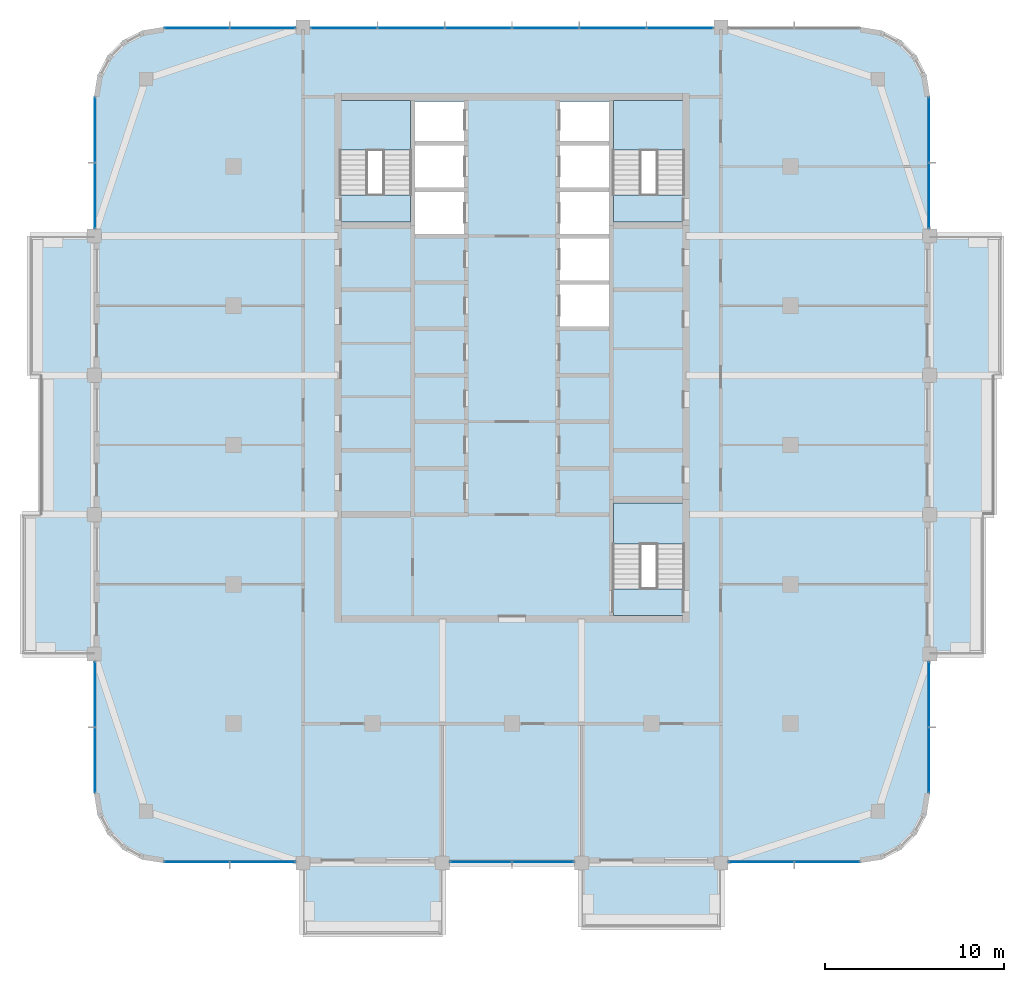
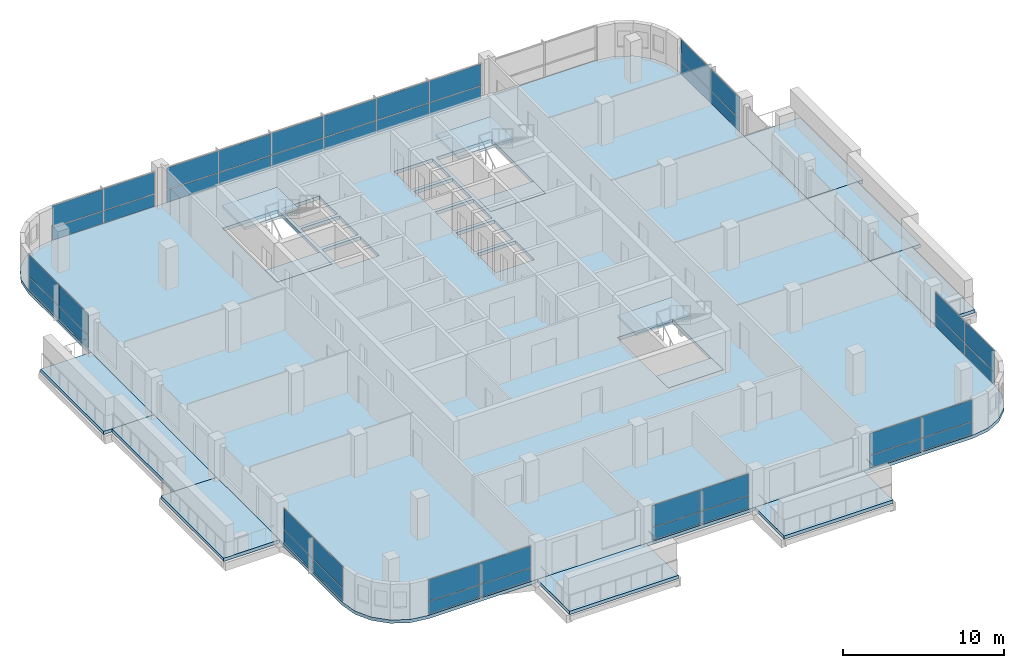
# One storey, part 11 of 22: 44 plates, 15 slabs, 12 elements without a shape of their own.
"""IFC4 building model written with IfcOpenShell, lengths in metres."""

from ifc_helpers import new_model, si_unit, direction, frame, origin, origin_2d, place, context, subcontext, project, spatial, polyline, rectangle, outline, extrude, material, layer, layer_set, type_object, element, aggregate, save


model = new_model("IFC4")

# Units and contexts
model_context = context("Model", 3, precision=1e-05, world=origin(), true_north=direction((0.0, 1.0)))
body_context = subcontext(model_context, "Body", "Model", "MODEL_VIEW")
ifc_project = project(units=[si_unit("LENGTHUNIT", "METRE"), si_unit("AREAUNIT", "SQUARE_METRE"), si_unit("VOLUMEUNIT", "CUBIC_METRE"), si_unit("PLANEANGLEUNIT", "RADIAN"), si_unit("MASSUNIT", "GRAM", prefix="KILO")], contexts=[model_context])

# Site, building, storey
site_placement = place(None, origin())
site = spatial("IfcSite", under=ifc_project, at=site_placement, CompositionType="ELEMENT")
building_placement = place(site_placement, origin())
building = spatial("IfcBuilding", under=site, at=building_placement, Name="Ludao Terraces", CompositionType="ELEMENT")
storey_placement = place(building_placement, frame((0.0, 0.0, 200.699951171875)))
storey = spatial("IfcBuildingStorey", under=building, at=storey_placement, Name="L54", CompositionType="ELEMENT", Elevation=200.699951171875)

# Slabs
ifc_material_1 = material(Name="Concrete C40", Category="concrete")
ifc_layer_1 = layer(ifc_material_1, 0.25)
ifc_layer_set_1 = layer_set([ifc_layer_1], Name="Balcony slab 250 C40")
slab_type_1 = type_object("IfcSlabType", Name="Balcony slab 250 C40", PredefinedType="USERDEFINED", material=ifc_layer_set_1)
slab_1_placement = place(storey_placement, frame((0.0, 0.0, -0.25)))
element("IfcSlab", 1, at=slab_1_placement, inside=storey, type_object=slab_type_1, Name="Balcony L54 S1", ObjectType="BALCONY", PredefinedType="USERDEFINED", context=body_context, shape_type="SweptSolid", body=[
    extrude(outline(polyline([(73.300048828125, 37.60009765625), (81.10009765625, 37.60009765625), (81.10009765625, 41.60009765625), (73.300048828125, 41.60009765625), (73.300048828125, 37.60009765625)])), origin(), (0.0, 0.0, 1.0), 0.25),
])
slab_2_placement = place(storey_placement, frame((0.0, 0.0, -0.25)))
element("IfcSlab", 2, at=slab_2_placement, inside=storey, type_object=slab_type_1, Name="Balcony L54 S3", ObjectType="BALCONY", PredefinedType="USERDEFINED", context=body_context, shape_type="SweptSolid", body=[
    extrude(outline(polyline([(88.89990234375, 38.0), (96.699951171875, 38.0), (96.699951171875, 41.60009765625), (88.89990234375, 41.60009765625), (88.89990234375, 38.0)])), origin(), (0.0, 0.0, 1.0), 0.25),
])
slab_3_placement = place(storey_placement, frame((0.0, 0.0, -0.25)))
element("IfcSlab", 3, at=slab_3_placement, inside=storey, type_object=slab_type_1, Name="Balcony L54 E1", ObjectType="BALCONY", PredefinedType="USERDEFINED", context=body_context, shape_type="SweptSolid", body=[
    extrude(outline(polyline([(108.39990234375, 53.300048828125), (111.39990234375, 53.300048828125), (111.39990234375, 61.10009765625), (108.39990234375, 61.10009765625), (108.39990234375, 53.300048828125)])), origin(), (0.0, 0.0, 1.0), 0.25),
])
slab_4_placement = place(storey_placement, frame((0.0, 0.0, -0.25)))
element("IfcSlab", 4, at=slab_4_placement, inside=storey, type_object=slab_type_1, Name="Balcony L54 E2", ObjectType="BALCONY", PredefinedType="USERDEFINED", context=body_context, shape_type="SweptSolid", body=[
    extrude(outline(polyline([(108.39990234375, 61.10009765625), (112.0, 61.10009765625), (112.0, 68.89990234375), (108.39990234375, 68.89990234375), (108.39990234375, 61.10009765625)])), origin(), (0.0, 0.0, 1.0), 0.25),
])
slab_5_placement = place(storey_placement, frame((0.0, 0.0, -0.25)))
element("IfcSlab", 5, at=slab_5_placement, inside=storey, type_object=slab_type_1, Name="Balcony L54 E3", ObjectType="BALCONY", PredefinedType="USERDEFINED", context=body_context, shape_type="SweptSolid", body=[
    extrude(outline(polyline([(108.39990234375, 68.89990234375), (112.39990234375, 68.89990234375), (112.39990234375, 76.699951171875), (108.39990234375, 76.699951171875), (108.39990234375, 68.89990234375)])), origin(), (0.0, 0.0, 1.0), 0.25),
])
slab_6_placement = place(storey_placement, frame((0.0, 0.0, -0.25)))
element("IfcSlab", 6, at=slab_6_placement, inside=storey, type_object=slab_type_1, Name="Balcony L54 W1", ObjectType="BALCONY", PredefinedType="USERDEFINED", context=body_context, shape_type="SweptSolid", body=[
    extrude(outline(polyline([(57.60009765625, 53.300048828125), (61.60009765625, 53.300048828125), (61.60009765625, 61.10009765625), (57.60009765625, 61.10009765625), (57.60009765625, 53.300048828125)])), origin(), (0.0, 0.0, 1.0), 0.25),
])
slab_7_placement = place(storey_placement, frame((0.0, 0.0, -0.25)))
element("IfcSlab", 7, at=slab_7_placement, inside=storey, type_object=slab_type_1, Name="Balcony L54 W2", ObjectType="BALCONY", PredefinedType="USERDEFINED", context=body_context, shape_type="SweptSolid", body=[
    extrude(outline(polyline([(58.60009765625, 61.10009765625), (61.60009765625, 61.10009765625), (61.60009765625, 68.89990234375), (58.60009765625, 68.89990234375), (58.60009765625, 61.10009765625)])), origin(), (0.0, 0.0, 1.0), 0.25),
])
slab_8_placement = place(storey_placement, frame((0.0, 0.0, -0.25)))
element("IfcSlab", 8, at=slab_8_placement, inside=storey, type_object=slab_type_1, Name="Balcony L54 W3", ObjectType="BALCONY", PredefinedType="USERDEFINED", context=body_context, shape_type="SweptSolid", body=[
    extrude(outline(polyline([(58.0, 68.89990234375), (61.60009765625, 68.89990234375), (61.60009765625, 76.699951171875), (58.0, 76.699951171875), (58.0, 68.89990234375)])), origin(), (0.0, 0.0, 1.0), 0.25),
])

# Curtain wall, plates
ifc_material_2 = material(Name="Aluminium curtain wall with fritted glass", Category="aluminium")
curtain_wall_type = type_object("IfcCurtainWallType", Name="ENV CW3 community glazing", PredefinedType="NOTDEFINED", material=ifc_material_2)
curtain_wall_1_placement = place(storey_placement, origin())
curtain_wall_1 = element("IfcCurtainWall", 9, at=curtain_wall_1_placement, inside=storey, type_object=curtain_wall_type, Name="Community floor glazing L54 S1", PredefinedType="NOTDEFINED")
ifc_material_3 = material(Name="Fritted glass panel", Category="glass")
ifc_layer_2 = layer(ifc_material_3, 0.02392578125)
ifc_layer_set_2 = layer_set([ifc_layer_2], Name="ENV CW3 glass panel")
plate_type = type_object("IfcPlateType", Name="ENV CW3 glass panel", PredefinedType="CURTAIN_PANEL", material=ifc_layer_set_2)
plate_1_placement = place(storey_placement, frame((67.362548828125, 41.659912109375, 0.0498046875), z_axis=(0.0, 0.0, 1.0), x_axis=(1.0, 0.0, 0.0)))
plate_1 = element("IfcPlate", 10, at=plate_1_placement, type_object=plate_type, Name="CW3 panel 1.1", PredefinedType="CURTAIN_PANEL", context=body_context, shape_type="SweptSolid", body=[
    extrude(rectangle(XDim=3.625, YDim=0.02392578125, at=origin_2d()), origin(), (0.0, 0.0, 1.0), 0.925048828125),
])
plate_2_placement = place(storey_placement, frame((67.362548828125, 41.659912109375, 1.025146484375), z_axis=(0.0, 0.0, 1.0), x_axis=(1.0, 0.0, 0.0)))
plate_2 = element("IfcPlate", 11, at=plate_2_placement, type_object=plate_type, Name="CW3 panel 1.2", PredefinedType="CURTAIN_PANEL", context=body_context, shape_type="SweptSolid", body=[
    extrude(rectangle(XDim=3.625, YDim=0.02392578125, at=origin_2d()), origin(), (0.0, 0.0, 1.0), 1.625),
])
plate_3_placement = place(storey_placement, frame((71.03759765625, 41.659912109375, 0.0498046875), z_axis=(0.0, 0.0, 1.0), x_axis=(1.0, 0.0, 0.0)))
plate_3 = element("IfcPlate", 12, at=plate_3_placement, type_object=plate_type, Name="CW3 panel 2.1", PredefinedType="CURTAIN_PANEL", context=body_context, shape_type="SweptSolid", body=[
    extrude(rectangle(XDim=3.625, YDim=0.02392578125, at=origin_2d()), origin(), (0.0, 0.0, 1.0), 0.925048828125),
])
plate_4_placement = place(storey_placement, frame((71.03759765625, 41.659912109375, 1.025146484375), z_axis=(0.0, 0.0, 1.0), x_axis=(1.0, 0.0, 0.0)))
plate_4 = element("IfcPlate", 13, at=plate_4_placement, type_object=plate_type, Name="CW3 panel 2.2", PredefinedType="CURTAIN_PANEL", context=body_context, shape_type="SweptSolid", body=[
    extrude(rectangle(XDim=3.625, YDim=0.02392578125, at=origin_2d()), origin(), (0.0, 0.0, 1.0), 1.625),
])
aggregate(curtain_wall_1, [plate_1, plate_2, plate_3, plate_4])

curtain_wall_2_placement = place(storey_placement, origin())
curtain_wall_2 = element("IfcCurtainWall", 14, at=curtain_wall_2_placement, inside=storey, type_object=curtain_wall_type, Name="Community floor glazing L54 S3", PredefinedType="NOTDEFINED")
plate_5_placement = place(storey_placement, frame((83.262451171875, 41.659912109375, 0.0498046875), z_axis=(0.0, 0.0, 1.0), x_axis=(1.0, 0.0, 0.0)))
plate_5 = element("IfcPlate", 15, at=plate_5_placement, type_object=plate_type, Name="CW3 panel 1.1", PredefinedType="CURTAIN_PANEL", context=body_context, shape_type="SweptSolid", body=[
    extrude(rectangle(XDim=3.425048828125, YDim=0.02392578125, at=origin_2d()), origin(), (0.0, 0.0, 1.0), 0.925048828125),
])
plate_6_placement = place(storey_placement, frame((83.262451171875, 41.659912109375, 1.025146484375), z_axis=(0.0, 0.0, 1.0), x_axis=(1.0, 0.0, 0.0)))
plate_6 = element("IfcPlate", 16, at=plate_6_placement, type_object=plate_type, Name="CW3 panel 1.2", PredefinedType="CURTAIN_PANEL", context=body_context, shape_type="SweptSolid", body=[
    extrude(rectangle(XDim=3.425048828125, YDim=0.02392578125, at=origin_2d()), origin(), (0.0, 0.0, 1.0), 1.625),
])
plate_7_placement = place(storey_placement, frame((86.737548828125, 41.659912109375, 0.0498046875), z_axis=(0.0, 0.0, 1.0), x_axis=(1.0, 0.0, 0.0)))
plate_7 = element("IfcPlate", 17, at=plate_7_placement, type_object=plate_type, Name="CW3 panel 2.1", PredefinedType="CURTAIN_PANEL", context=body_context, shape_type="SweptSolid", body=[
    extrude(rectangle(XDim=3.425048828125, YDim=0.02392578125, at=origin_2d()), origin(), (0.0, 0.0, 1.0), 0.925048828125),
])
plate_8_placement = place(storey_placement, frame((86.737548828125, 41.659912109375, 1.025146484375), z_axis=(0.0, 0.0, 1.0), x_axis=(1.0, 0.0, 0.0)))
plate_8 = element("IfcPlate", 18, at=plate_8_placement, type_object=plate_type, Name="CW3 panel 2.2", PredefinedType="CURTAIN_PANEL", context=body_context, shape_type="SweptSolid", body=[
    extrude(rectangle(XDim=3.425048828125, YDim=0.02392578125, at=origin_2d()), origin(), (0.0, 0.0, 1.0), 1.625),
])
aggregate(curtain_wall_2, [plate_5, plate_6, plate_7, plate_8])

curtain_wall_3_placement = place(storey_placement, origin())
curtain_wall_3 = element("IfcCurtainWall", 19, at=curtain_wall_3_placement, inside=storey, type_object=curtain_wall_type, Name="Community floor glazing L54 S5", PredefinedType="NOTDEFINED")
plate_9_placement = place(storey_placement, frame((98.96240234375, 41.659912109375, 0.0498046875), z_axis=(0.0, 0.0, 1.0), x_axis=(1.0, 0.0, 0.0)))
plate_9 = element("IfcPlate", 20, at=plate_9_placement, type_object=plate_type, Name="CW3 panel 1.1", PredefinedType="CURTAIN_PANEL", context=body_context, shape_type="SweptSolid", body=[
    extrude(rectangle(XDim=3.625, YDim=0.02392578125, at=origin_2d()), origin(), (0.0, 0.0, 1.0), 0.925048828125),
])
plate_10_placement = place(storey_placement, frame((98.96240234375, 41.659912109375, 1.025146484375), z_axis=(0.0, 0.0, 1.0), x_axis=(1.0, 0.0, 0.0)))
plate_10 = element("IfcPlate", 21, at=plate_10_placement, type_object=plate_type, Name="CW3 panel 1.2", PredefinedType="CURTAIN_PANEL", context=body_context, shape_type="SweptSolid", body=[
    extrude(rectangle(XDim=3.625, YDim=0.02392578125, at=origin_2d()), origin(), (0.0, 0.0, 1.0), 1.625),
])
plate_11_placement = place(storey_placement, frame((102.637451171875, 41.659912109375, 0.0498046875), z_axis=(0.0, 0.0, 1.0), x_axis=(1.0, 0.0, 0.0)))
plate_11 = element("IfcPlate", 22, at=plate_11_placement, type_object=plate_type, Name="CW3 panel 2.1", PredefinedType="CURTAIN_PANEL", context=body_context, shape_type="SweptSolid", body=[
    extrude(rectangle(XDim=3.625, YDim=0.02392578125, at=origin_2d()), origin(), (0.0, 0.0, 1.0), 0.925048828125),
])
plate_12_placement = place(storey_placement, frame((102.637451171875, 41.659912109375, 1.025146484375), z_axis=(0.0, 0.0, 1.0), x_axis=(1.0, 0.0, 0.0)))
plate_12 = element("IfcPlate", 23, at=plate_12_placement, type_object=plate_type, Name="CW3 panel 2.2", PredefinedType="CURTAIN_PANEL", context=body_context, shape_type="SweptSolid", body=[
    extrude(rectangle(XDim=3.625, YDim=0.02392578125, at=origin_2d()), origin(), (0.0, 0.0, 1.0), 1.625),
])
aggregate(curtain_wall_3, [plate_9, plate_10, plate_11, plate_12])

curtain_wall_4_placement = place(storey_placement, origin())
curtain_wall_4 = element("IfcCurtainWall", 24, at=curtain_wall_4_placement, inside=storey, type_object=curtain_wall_type, Name="Community floor glazing L54 E1", PredefinedType="NOTDEFINED")
plate_13_placement = place(storey_placement, frame((108.340087890625, 47.362548828125, 0.0498046875), z_axis=(0.0, 0.0, 1.0), x_axis=(0.0, 1.0, 0.0)))
plate_13 = element("IfcPlate", 25, at=plate_13_placement, type_object=plate_type, Name="CW3 panel 1.1", PredefinedType="CURTAIN_PANEL", context=body_context, shape_type="SweptSolid", body=[
    extrude(rectangle(XDim=3.625, YDim=0.02392578125, at=origin_2d()), origin(), (0.0, 0.0, 1.0), 0.925048828125),
])
plate_14_placement = place(storey_placement, frame((108.340087890625, 47.362548828125, 1.025146484375), z_axis=(0.0, 0.0, 1.0), x_axis=(0.0, 1.0, 0.0)))
plate_14 = element("IfcPlate", 26, at=plate_14_placement, type_object=plate_type, Name="CW3 panel 1.2", PredefinedType="CURTAIN_PANEL", context=body_context, shape_type="SweptSolid", body=[
    extrude(rectangle(XDim=3.625, YDim=0.02392578125, at=origin_2d()), origin(), (0.0, 0.0, 1.0), 1.625),
])
plate_15_placement = place(storey_placement, frame((108.340087890625, 51.03759765625, 0.0498046875), z_axis=(0.0, 0.0, 1.0), x_axis=(0.0, 1.0, 0.0)))
plate_15 = element("IfcPlate", 27, at=plate_15_placement, type_object=plate_type, Name="CW3 panel 2.1", PredefinedType="CURTAIN_PANEL", context=body_context, shape_type="SweptSolid", body=[
    extrude(rectangle(XDim=3.625, YDim=0.02392578125, at=origin_2d()), origin(), (0.0, 0.0, 1.0), 0.925048828125),
])
plate_16_placement = place(storey_placement, frame((108.340087890625, 51.03759765625, 1.025146484375), z_axis=(0.0, 0.0, 1.0), x_axis=(0.0, 1.0, 0.0)))
plate_16 = element("IfcPlate", 28, at=plate_16_placement, type_object=plate_type, Name="CW3 panel 2.2", PredefinedType="CURTAIN_PANEL", context=body_context, shape_type="SweptSolid", body=[
    extrude(rectangle(XDim=3.625, YDim=0.02392578125, at=origin_2d()), origin(), (0.0, 0.0, 1.0), 1.625),
])
aggregate(curtain_wall_4, [plate_13, plate_14, plate_15, plate_16])

curtain_wall_5_placement = place(storey_placement, origin())
curtain_wall_5 = element("IfcCurtainWall", 29, at=curtain_wall_5_placement, inside=storey, type_object=curtain_wall_type, Name="Community floor glazing L54 E5", PredefinedType="NOTDEFINED")
plate_17_placement = place(storey_placement, frame((108.340087890625, 78.96240234375, 0.0498046875), z_axis=(0.0, 0.0, 1.0), x_axis=(0.0, 1.0, 0.0)))
plate_17 = element("IfcPlate", 30, at=plate_17_placement, type_object=plate_type, Name="CW3 panel 1.1", PredefinedType="CURTAIN_PANEL", context=body_context, shape_type="SweptSolid", body=[
    extrude(rectangle(XDim=3.625, YDim=0.02392578125, at=origin_2d()), origin(), (0.0, 0.0, 1.0), 0.925048828125),
])
plate_18_placement = place(storey_placement, frame((108.340087890625, 78.96240234375, 1.025146484375), z_axis=(0.0, 0.0, 1.0), x_axis=(0.0, 1.0, 0.0)))
plate_18 = element("IfcPlate", 31, at=plate_18_placement, type_object=plate_type, Name="CW3 panel 1.2", PredefinedType="CURTAIN_PANEL", context=body_context, shape_type="SweptSolid", body=[
    extrude(rectangle(XDim=3.625, YDim=0.02392578125, at=origin_2d()), origin(), (0.0, 0.0, 1.0), 1.625),
])
plate_19_placement = place(storey_placement, frame((108.340087890625, 82.637451171875, 0.0498046875), z_axis=(0.0, 0.0, 1.0), x_axis=(0.0, 1.0, 0.0)))
plate_19 = element("IfcPlate", 32, at=plate_19_placement, type_object=plate_type, Name="CW3 panel 2.1", PredefinedType="CURTAIN_PANEL", context=body_context, shape_type="SweptSolid", body=[
    extrude(rectangle(XDim=3.625, YDim=0.02392578125, at=origin_2d()), origin(), (0.0, 0.0, 1.0), 0.925048828125),
])
plate_20_placement = place(storey_placement, frame((108.340087890625, 82.637451171875, 1.025146484375), z_axis=(0.0, 0.0, 1.0), x_axis=(0.0, 1.0, 0.0)))
plate_20 = element("IfcPlate", 33, at=plate_20_placement, type_object=plate_type, Name="CW3 panel 2.2", PredefinedType="CURTAIN_PANEL", context=body_context, shape_type="SweptSolid", body=[
    extrude(rectangle(XDim=3.625, YDim=0.02392578125, at=origin_2d()), origin(), (0.0, 0.0, 1.0), 1.625),
])
aggregate(curtain_wall_5, [plate_17, plate_18, plate_19, plate_20])

curtain_wall_6_placement = place(storey_placement, origin())
curtain_wall_6 = element("IfcCurtainWall", 34, at=curtain_wall_6_placement, inside=storey, type_object=curtain_wall_type, Name="Community floor glazing L54 N1", PredefinedType="NOTDEFINED")
plate_21_placement = place(storey_placement, frame((67.362548828125, 88.340087890625, 0.0498046875), z_axis=(0.0, 0.0, 1.0), x_axis=(1.0, 0.0, 0.0)))
plate_21 = element("IfcPlate", 35, at=plate_21_placement, type_object=plate_type, Name="CW3 panel 1.1", PredefinedType="CURTAIN_PANEL", context=body_context, shape_type="SweptSolid", body=[
    extrude(rectangle(XDim=3.625, YDim=0.02392578125, at=origin_2d()), origin(), (0.0, 0.0, 1.0), 0.925048828125),
])
plate_22_placement = place(storey_placement, frame((67.362548828125, 88.340087890625, 1.025146484375), z_axis=(0.0, 0.0, 1.0), x_axis=(1.0, 0.0, 0.0)))
plate_22 = element("IfcPlate", 36, at=plate_22_placement, type_object=plate_type, Name="CW3 panel 1.2", PredefinedType="CURTAIN_PANEL", context=body_context, shape_type="SweptSolid", body=[
    extrude(rectangle(XDim=3.625, YDim=0.02392578125, at=origin_2d()), origin(), (0.0, 0.0, 1.0), 1.625),
])
plate_23_placement = place(storey_placement, frame((71.03759765625, 88.340087890625, 0.0498046875), z_axis=(0.0, 0.0, 1.0), x_axis=(1.0, 0.0, 0.0)))
plate_23 = element("IfcPlate", 37, at=plate_23_placement, type_object=plate_type, Name="CW3 panel 2.1", PredefinedType="CURTAIN_PANEL", context=body_context, shape_type="SweptSolid", body=[
    extrude(rectangle(XDim=3.625, YDim=0.02392578125, at=origin_2d()), origin(), (0.0, 0.0, 1.0), 0.925048828125),
])
plate_24_placement = place(storey_placement, frame((71.03759765625, 88.340087890625, 1.025146484375), z_axis=(0.0, 0.0, 1.0), x_axis=(1.0, 0.0, 0.0)))
plate_24 = element("IfcPlate", 38, at=plate_24_placement, type_object=plate_type, Name="CW3 panel 2.2", PredefinedType="CURTAIN_PANEL", context=body_context, shape_type="SweptSolid", body=[
    extrude(rectangle(XDim=3.625, YDim=0.02392578125, at=origin_2d()), origin(), (0.0, 0.0, 1.0), 1.625),
])
aggregate(curtain_wall_6, [plate_21, plate_22, plate_23, plate_24])

curtain_wall_7_placement = place(storey_placement, origin())
curtain_wall_7 = element("IfcCurtainWall", 39, at=curtain_wall_7_placement, inside=storey, type_object=curtain_wall_type, Name="Community floor glazing L54 N2", PredefinedType="NOTDEFINED")
plate_25_placement = place(storey_placement, frame((75.595947265625, 88.340087890625, 0.0498046875), z_axis=(0.0, 0.0, 1.0), x_axis=(1.0, 0.0, 0.0)))
plate_25 = element("IfcPlate", 40, at=plate_25_placement, type_object=plate_type, Name="CW3 panel 1.1", PredefinedType="CURTAIN_PANEL", context=body_context, shape_type="SweptSolid", body=[
    extrude(rectangle(XDim=3.691650390625, YDim=0.02392578125, at=origin_2d()), origin(), (0.0, 0.0, 1.0), 0.925048828125),
])
plate_26_placement = place(storey_placement, frame((75.595947265625, 88.340087890625, 1.025146484375), z_axis=(0.0, 0.0, 1.0), x_axis=(1.0, 0.0, 0.0)))
plate_26 = element("IfcPlate", 41, at=plate_26_placement, type_object=plate_type, Name="CW3 panel 1.2", PredefinedType="CURTAIN_PANEL", context=body_context, shape_type="SweptSolid", body=[
    extrude(rectangle(XDim=3.691650390625, YDim=0.02392578125, at=origin_2d()), origin(), (0.0, 0.0, 1.0), 1.625),
])
plate_27_placement = place(storey_placement, frame((79.35009765625, 88.340087890625, 0.0498046875), z_axis=(0.0, 0.0, 1.0), x_axis=(1.0, 0.0, 0.0)))
plate_27 = element("IfcPlate", 42, at=plate_27_placement, type_object=plate_type, Name="CW3 panel 2.1", PredefinedType="CURTAIN_PANEL", context=body_context, shape_type="SweptSolid", body=[
    extrude(rectangle(XDim=3.716552734375, YDim=0.02392578125, at=origin_2d()), origin(), (0.0, 0.0, 1.0), 0.925048828125),
])
plate_28_placement = place(storey_placement, frame((79.35009765625, 88.340087890625, 1.025146484375), z_axis=(0.0, 0.0, 1.0), x_axis=(1.0, 0.0, 0.0)))
plate_28 = element("IfcPlate", 43, at=plate_28_placement, type_object=plate_type, Name="CW3 panel 2.2", PredefinedType="CURTAIN_PANEL", context=body_context, shape_type="SweptSolid", body=[
    extrude(rectangle(XDim=3.716552734375, YDim=0.02392578125, at=origin_2d()), origin(), (0.0, 0.0, 1.0), 1.625),
])
plate_29_placement = place(storey_placement, frame((83.11669921875, 88.340087890625, 0.0498046875), z_axis=(0.0, 0.0, 1.0), x_axis=(1.0, 0.0, 0.0)))
plate_29 = element("IfcPlate", 44, at=plate_29_placement, type_object=plate_type, Name="CW3 panel 3.1", PredefinedType="CURTAIN_PANEL", context=body_context, shape_type="SweptSolid", body=[
    extrude(rectangle(XDim=3.716552734375, YDim=0.02392578125, at=origin_2d()), origin(), (0.0, 0.0, 1.0), 0.925048828125),
])
plate_30_placement = place(storey_placement, frame((83.11669921875, 88.340087890625, 1.025146484375), z_axis=(0.0, 0.0, 1.0), x_axis=(1.0, 0.0, 0.0)))
plate_30 = element("IfcPlate", 45, at=plate_30_placement, type_object=plate_type, Name="CW3 panel 3.2", PredefinedType="CURTAIN_PANEL", context=body_context, shape_type="SweptSolid", body=[
    extrude(rectangle(XDim=3.716552734375, YDim=0.02392578125, at=origin_2d()), origin(), (0.0, 0.0, 1.0), 1.625),
])
plate_31_placement = place(storey_placement, frame((86.88330078125, 88.340087890625, 0.0498046875), z_axis=(0.0, 0.0, 1.0), x_axis=(1.0, 0.0, 0.0)))
plate_31 = element("IfcPlate", 46, at=plate_31_placement, type_object=plate_type, Name="CW3 panel 4.1", PredefinedType="CURTAIN_PANEL", context=body_context, shape_type="SweptSolid", body=[
    extrude(rectangle(XDim=3.716552734375, YDim=0.02392578125, at=origin_2d()), origin(), (0.0, 0.0, 1.0), 0.925048828125),
])
plate_32_placement = place(storey_placement, frame((86.88330078125, 88.340087890625, 1.025146484375), z_axis=(0.0, 0.0, 1.0), x_axis=(1.0, 0.0, 0.0)))
plate_32 = element("IfcPlate", 47, at=plate_32_placement, type_object=plate_type, Name="CW3 panel 4.2", PredefinedType="CURTAIN_PANEL", context=body_context, shape_type="SweptSolid", body=[
    extrude(rectangle(XDim=3.716552734375, YDim=0.02392578125, at=origin_2d()), origin(), (0.0, 0.0, 1.0), 1.625),
])
plate_33_placement = place(storey_placement, frame((90.64990234375, 88.340087890625, 0.0498046875), z_axis=(0.0, 0.0, 1.0), x_axis=(1.0, 0.0, 0.0)))
plate_33 = element("IfcPlate", 48, at=plate_33_placement, type_object=plate_type, Name="CW3 panel 5.1", PredefinedType="CURTAIN_PANEL", context=body_context, shape_type="SweptSolid", body=[
    extrude(rectangle(XDim=3.716552734375, YDim=0.02392578125, at=origin_2d()), origin(), (0.0, 0.0, 1.0), 0.925048828125),
])
plate_34_placement = place(storey_placement, frame((90.64990234375, 88.340087890625, 1.025146484375), z_axis=(0.0, 0.0, 1.0), x_axis=(1.0, 0.0, 0.0)))
plate_34 = element("IfcPlate", 49, at=plate_34_placement, type_object=plate_type, Name="CW3 panel 5.2", PredefinedType="CURTAIN_PANEL", context=body_context, shape_type="SweptSolid", body=[
    extrude(rectangle(XDim=3.716552734375, YDim=0.02392578125, at=origin_2d()), origin(), (0.0, 0.0, 1.0), 1.625),
])
plate_35_placement = place(storey_placement, frame((94.404052734375, 88.340087890625, 0.0498046875), z_axis=(0.0, 0.0, 1.0), x_axis=(1.0, 0.0, 0.0)))
plate_35 = element("IfcPlate", 50, at=plate_35_placement, type_object=plate_type, Name="CW3 panel 6.1", PredefinedType="CURTAIN_PANEL", context=body_context, shape_type="SweptSolid", body=[
    extrude(rectangle(XDim=3.691650390625, YDim=0.02392578125, at=origin_2d()), origin(), (0.0, 0.0, 1.0), 0.925048828125),
])
plate_36_placement = place(storey_placement, frame((94.404052734375, 88.340087890625, 1.025146484375), z_axis=(0.0, 0.0, 1.0), x_axis=(1.0, 0.0, 0.0)))
plate_36 = element("IfcPlate", 51, at=plate_36_placement, type_object=plate_type, Name="CW3 panel 6.2", PredefinedType="CURTAIN_PANEL", context=body_context, shape_type="SweptSolid", body=[
    extrude(rectangle(XDim=3.691650390625, YDim=0.02392578125, at=origin_2d()), origin(), (0.0, 0.0, 1.0), 1.625),
])
aggregate(curtain_wall_7, [plate_25, plate_26, plate_27, plate_28, plate_29, plate_30, plate_31, plate_32, plate_33, plate_34, plate_35, plate_36])

curtain_wall_8_placement = place(storey_placement, origin())
curtain_wall_8 = element("IfcCurtainWall", 52, at=curtain_wall_8_placement, inside=storey, type_object=curtain_wall_type, Name="Community floor glazing L54 W1", PredefinedType="NOTDEFINED")
plate_37_placement = place(storey_placement, frame((61.659912109375, 47.362548828125, 0.0498046875), z_axis=(0.0, 0.0, 1.0), x_axis=(0.0, 1.0, 0.0)))
plate_37 = element("IfcPlate", 53, at=plate_37_placement, type_object=plate_type, Name="CW3 panel 1.1", PredefinedType="CURTAIN_PANEL", context=body_context, shape_type="SweptSolid", body=[
    extrude(rectangle(XDim=3.625, YDim=0.02392578125, at=origin_2d()), origin(), (0.0, 0.0, 1.0), 0.925048828125),
])
plate_38_placement = place(storey_placement, frame((61.659912109375, 47.362548828125, 1.025146484375), z_axis=(0.0, 0.0, 1.0), x_axis=(0.0, 1.0, 0.0)))
plate_38 = element("IfcPlate", 54, at=plate_38_placement, type_object=plate_type, Name="CW3 panel 1.2", PredefinedType="CURTAIN_PANEL", context=body_context, shape_type="SweptSolid", body=[
    extrude(rectangle(XDim=3.625, YDim=0.02392578125, at=origin_2d()), origin(), (0.0, 0.0, 1.0), 1.625),
])
plate_39_placement = place(storey_placement, frame((61.659912109375, 51.03759765625, 0.0498046875), z_axis=(0.0, 0.0, 1.0), x_axis=(0.0, 1.0, 0.0)))
plate_39 = element("IfcPlate", 55, at=plate_39_placement, type_object=plate_type, Name="CW3 panel 2.1", PredefinedType="CURTAIN_PANEL", context=body_context, shape_type="SweptSolid", body=[
    extrude(rectangle(XDim=3.625, YDim=0.02392578125, at=origin_2d()), origin(), (0.0, 0.0, 1.0), 0.925048828125),
])
plate_40_placement = place(storey_placement, frame((61.659912109375, 51.03759765625, 1.025146484375), z_axis=(0.0, 0.0, 1.0), x_axis=(0.0, 1.0, 0.0)))
plate_40 = element("IfcPlate", 56, at=plate_40_placement, type_object=plate_type, Name="CW3 panel 2.2", PredefinedType="CURTAIN_PANEL", context=body_context, shape_type="SweptSolid", body=[
    extrude(rectangle(XDim=3.625, YDim=0.02392578125, at=origin_2d()), origin(), (0.0, 0.0, 1.0), 1.625),
])
aggregate(curtain_wall_8, [plate_37, plate_38, plate_39, plate_40])

curtain_wall_9_placement = place(storey_placement, origin())
curtain_wall_9 = element("IfcCurtainWall", 57, at=curtain_wall_9_placement, inside=storey, type_object=curtain_wall_type, Name="Community floor glazing L54 W5", PredefinedType="NOTDEFINED")
plate_41_placement = place(storey_placement, frame((61.659912109375, 78.96240234375, 0.0498046875), z_axis=(0.0, 0.0, 1.0), x_axis=(0.0, 1.0, 0.0)))
plate_41 = element("IfcPlate", 58, at=plate_41_placement, type_object=plate_type, Name="CW3 panel 1.1", PredefinedType="CURTAIN_PANEL", context=body_context, shape_type="SweptSolid", body=[
    extrude(rectangle(XDim=3.625, YDim=0.02392578125, at=origin_2d()), origin(), (0.0, 0.0, 1.0), 0.925048828125),
])
plate_42_placement = place(storey_placement, frame((61.659912109375, 78.96240234375, 1.025146484375), z_axis=(0.0, 0.0, 1.0), x_axis=(0.0, 1.0, 0.0)))
plate_42 = element("IfcPlate", 59, at=plate_42_placement, type_object=plate_type, Name="CW3 panel 1.2", PredefinedType="CURTAIN_PANEL", context=body_context, shape_type="SweptSolid", body=[
    extrude(rectangle(XDim=3.625, YDim=0.02392578125, at=origin_2d()), origin(), (0.0, 0.0, 1.0), 1.625),
])
plate_43_placement = place(storey_placement, frame((61.659912109375, 82.637451171875, 0.0498046875), z_axis=(0.0, 0.0, 1.0), x_axis=(0.0, 1.0, 0.0)))
plate_43 = element("IfcPlate", 60, at=plate_43_placement, type_object=plate_type, Name="CW3 panel 2.1", PredefinedType="CURTAIN_PANEL", context=body_context, shape_type="SweptSolid", body=[
    extrude(rectangle(XDim=3.625, YDim=0.02392578125, at=origin_2d()), origin(), (0.0, 0.0, 1.0), 0.925048828125),
])
plate_44_placement = place(storey_placement, frame((61.659912109375, 82.637451171875, 1.025146484375), z_axis=(0.0, 0.0, 1.0), x_axis=(0.0, 1.0, 0.0)))
plate_44 = element("IfcPlate", 61, at=plate_44_placement, type_object=plate_type, Name="CW3 panel 2.2", PredefinedType="CURTAIN_PANEL", context=body_context, shape_type="SweptSolid", body=[
    extrude(rectangle(XDim=3.625, YDim=0.02392578125, at=origin_2d()), origin(), (0.0, 0.0, 1.0), 1.625),
])
aggregate(curtain_wall_9, [plate_41, plate_42, plate_43, plate_44])

# Slab
ifc_layer_3 = layer(ifc_material_1, 0.25)
ifc_layer_set_3 = layer_set([ifc_layer_3], Name="Floor slab 250 C40")
slab_type_2 = type_object("IfcSlabType", Name="Floor slab 250 C40", PredefinedType="FLOOR", material=ifc_layer_set_3)
slab_9_placement = place(storey_placement, frame((0.0, 0.0, -0.25)))
element("IfcSlab", 62, at=slab_9_placement, inside=storey, type_object=slab_type_2, Name="Slab L54", PredefinedType="FLOOR", context=body_context, shape_type="SweptSolid", body=[
    extrude(outline(polyline([(104.5, 41.60009765625), (105.705078125, 41.790771484375), (106.79248046875, 42.3447265625), (107.6552734375, 43.20751953125), (108.209228515625, 44.294921875), (108.39990234375, 45.5), (108.39990234375, 84.5), (108.209228515625, 85.705078125), (107.6552734375, 86.79248046875), (106.79248046875, 87.6552734375), (105.705078125, 88.209228515625), (104.5, 88.39990234375), (65.5, 88.39990234375), (64.294921875, 88.209228515625), (63.20751953125, 87.6552734375), (62.3447265625, 86.79248046875), (61.790771484375, 85.705078125), (61.60009765625, 84.5), (61.60009765625, 45.5), (61.790771484375, 44.294921875), (62.3447265625, 43.20751953125), (63.20751953125, 42.3447265625), (64.294921875, 41.790771484375), (65.5, 41.60009765625), (104.5, 41.60009765625)]), holes=[polyline([(79.574951171875, 76.824951171875), (82.324951171875, 76.824951171875), (82.324951171875, 79.175048828125), (79.574951171875, 79.175048828125), (79.574951171875, 76.824951171875)]), polyline([(79.574951171875, 79.425048828125), (82.324951171875, 79.425048828125), (82.324951171875, 81.77490234375), (79.574951171875, 81.77490234375), (79.574951171875, 79.425048828125)]), polyline([(79.574951171875, 82.02490234375), (82.324951171875, 82.02490234375), (82.324951171875, 84.239990234375), (79.574951171875, 84.239990234375), (79.574951171875, 82.02490234375)]), polyline([(87.675048828125, 71.625), (90.425048828125, 71.625), (90.425048828125, 73.97509765625), (87.675048828125, 73.97509765625), (87.675048828125, 71.625)]), polyline([(87.675048828125, 74.22509765625), (90.425048828125, 74.22509765625), (90.425048828125, 76.574951171875), (87.675048828125, 76.574951171875), (87.675048828125, 74.22509765625)]), polyline([(87.675048828125, 76.824951171875), (90.425048828125, 76.824951171875), (90.425048828125, 79.175048828125), (87.675048828125, 79.175048828125), (87.675048828125, 76.824951171875)]), polyline([(87.675048828125, 79.425048828125), (90.425048828125, 79.425048828125), (90.425048828125, 81.77490234375), (87.675048828125, 81.77490234375), (87.675048828125, 79.425048828125)]), polyline([(87.675048828125, 82.02490234375), (90.425048828125, 82.02490234375), (90.425048828125, 84.239990234375), (87.675048828125, 84.239990234375), (87.675048828125, 82.02490234375)]), polyline([(75.375, 77.5), (79.324951171875, 77.5), (79.324951171875, 84.239990234375), (75.375, 84.239990234375), (75.375, 77.5)]), polyline([(90.675048828125, 77.5), (94.625, 77.5), (94.625, 84.239990234375), (90.675048828125, 84.239990234375), (90.675048828125, 77.5)]), polyline([(90.675048828125, 55.449951171875), (94.625, 55.449951171875), (94.625, 61.75), (90.675048828125, 61.75), (90.675048828125, 55.449951171875)])]), origin(), (0.0, 0.0, 1.0), 0.25),
])

# Stair, slabs
stair_type = type_object("IfcStairType", Name="INT Stair", PredefinedType="HALF_TURN_STAIR", material=ifc_material_1)
stair_1_placement = place(storey_placement, origin())
stair_1 = element("IfcStair", 63, at=stair_1_placement, inside=storey, type_object=stair_type, Name="EXIT STAIR 1", PredefinedType="HALF_TURN_STAIR")
ifc_layer_4 = layer(ifc_material_1, 0.199951171875)
ifc_layer_set_4 = layer_set([ifc_layer_4], Name="INT Stair landing 200")
slab_type_3 = type_object("IfcSlabType", Name="INT Stair landing 200", PredefinedType="LANDING", material=ifc_layer_set_4)
slab_10_placement = place(storey_placement, frame((0.0, 0.0, 1.5)))
slab_10 = element("IfcSlab", 64, at=slab_10_placement, type_object=slab_type_3, Name="ST1 landing 1", PredefinedType="LANDING", context=body_context, shape_type="SweptSolid", body=[
    extrude(outline(polyline([(75.375, 81.52001953125), (79.324951171875, 81.52001953125), (79.324951171875, 84.300048828125), (75.375, 84.300048828125), (75.375, 81.52001953125)])), origin(), (0.0, 0.0, 1.0), 0.199951171875),
])
slab_11_placement = place(storey_placement, frame((0.0, 0.0, -0.199951171875)))
slab_11 = element("IfcSlab", 65, at=slab_11_placement, type_object=slab_type_3, Name="ST1 landing 2", PredefinedType="LANDING", context=body_context, shape_type="SweptSolid", body=[
    extrude(outline(polyline([(75.375, 77.5), (79.324951171875, 77.5), (79.324951171875, 79.0), (75.375, 79.0), (75.375, 77.5)])), origin(), (0.0, 0.0, 1.0), 0.199951171875),
])
aggregate(stair_1, [slab_10, slab_11])

stair_2_placement = place(storey_placement, origin())
stair_2 = element("IfcStair", 66, at=stair_2_placement, inside=storey, type_object=stair_type, Name="EXIT STAIR 2", PredefinedType="HALF_TURN_STAIR")
slab_12_placement = place(storey_placement, frame((0.0, 0.0, 1.5)))
slab_12 = element("IfcSlab", 67, at=slab_12_placement, type_object=slab_type_3, Name="ST2 landing 1", PredefinedType="LANDING", context=body_context, shape_type="SweptSolid", body=[
    extrude(outline(polyline([(90.675048828125, 81.52001953125), (94.625, 81.52001953125), (94.625, 84.300048828125), (90.675048828125, 84.300048828125), (90.675048828125, 81.52001953125)])), origin(), (0.0, 0.0, 1.0), 0.199951171875),
])
slab_13_placement = place(storey_placement, frame((0.0, 0.0, -0.199951171875)))
slab_13 = element("IfcSlab", 68, at=slab_13_placement, type_object=slab_type_3, Name="ST2 landing 2", PredefinedType="LANDING", context=body_context, shape_type="SweptSolid", body=[
    extrude(outline(polyline([(90.675048828125, 77.5), (94.625, 77.5), (94.625, 79.0), (90.675048828125, 79.0), (90.675048828125, 77.5)])), origin(), (0.0, 0.0, 1.0), 0.199951171875),
])
aggregate(stair_2, [slab_12, slab_13])

stair_3_placement = place(storey_placement, origin())
stair_3 = element("IfcStair", 69, at=stair_3_placement, inside=storey, type_object=stair_type, Name="EXIT STAIR 3", PredefinedType="HALF_TURN_STAIR")
slab_14_placement = place(storey_placement, frame((0.0, 0.0, 1.5)))
slab_14 = element("IfcSlab", 70, at=slab_14_placement, type_object=slab_type_3, Name="ST3 landing 1", PredefinedType="LANDING", context=body_context, shape_type="SweptSolid", body=[
    extrude(outline(polyline([(90.675048828125, 59.469970703125), (94.625, 59.469970703125), (94.625, 61.75), (90.675048828125, 61.75), (90.675048828125, 59.469970703125)])), origin(), (0.0, 0.0, 1.0), 0.199951171875),
])
slab_15_placement = place(storey_placement, frame((0.0, 0.0, -0.199951171875)))
slab_15 = element("IfcSlab", 71, at=slab_15_placement, type_object=slab_type_3, Name="ST3 landing 2", PredefinedType="LANDING", context=body_context, shape_type="SweptSolid", body=[
    extrude(outline(polyline([(90.675048828125, 55.449951171875), (94.625, 55.449951171875), (94.625, 56.949951171875), (90.675048828125, 56.949951171875), (90.675048828125, 55.449951171875)])), origin(), (0.0, 0.0, 1.0), 0.199951171875),
])
aggregate(stair_3, [slab_14, slab_15])

save(model, "model.ifc")
